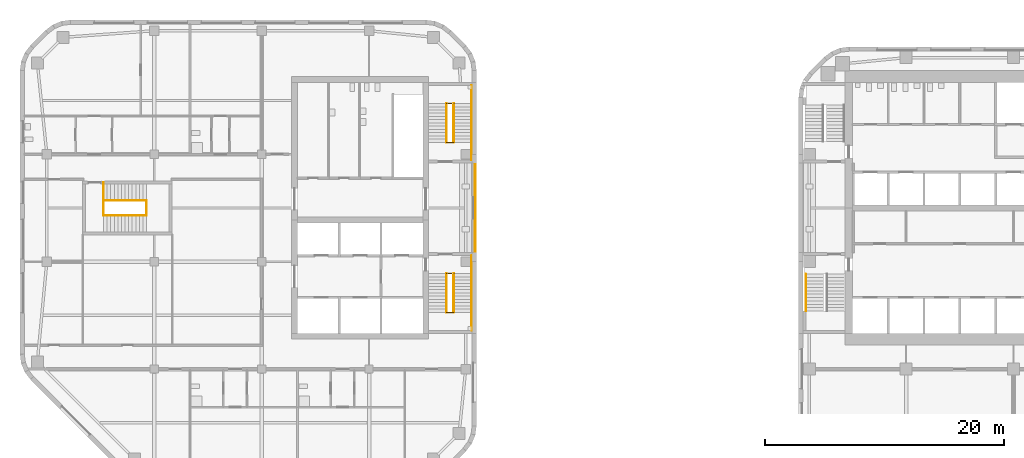
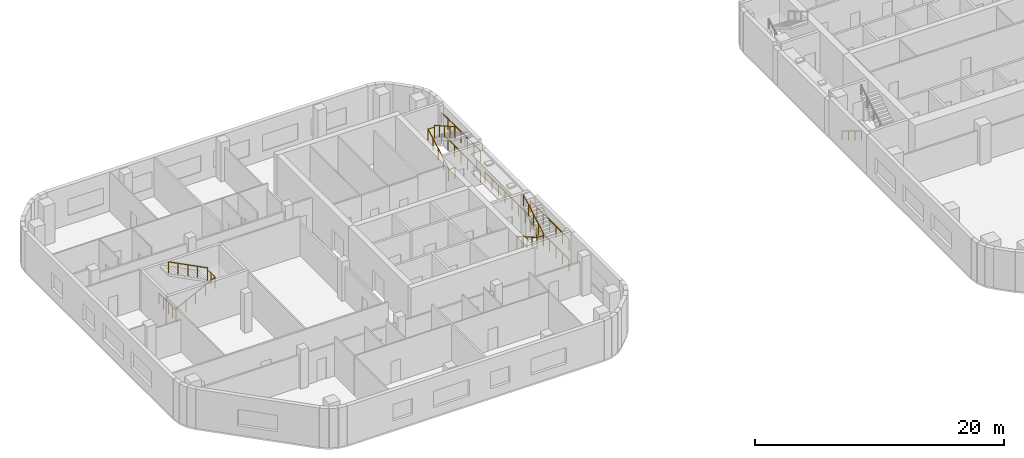
# One storey, part 13 of 15: 19 railings, 1 element without a shape of its own.
"""IFC4 building model written with IfcOpenShell, lengths in metres."""

from ifc_helpers import new_model, si_unit, direction, frame, origin, origin_2d, place, context, subcontext, project, spatial, circle, extrude, material, type_object, element, aggregate, save


model = new_model("IFC4")

# Units and contexts
model_context = context("Model", 3, precision=1e-05, world=origin(), true_north=direction((0.0, 1.0)))
body_context = subcontext(model_context, "Body", "Model", "MODEL_VIEW")
ifc_project = project(units=[si_unit("LENGTHUNIT", "METRE"), si_unit("AREAUNIT", "SQUARE_METRE"), si_unit("VOLUMEUNIT", "CUBIC_METRE"), si_unit("PLANEANGLEUNIT", "RADIAN"), si_unit("MASSUNIT", "GRAM", prefix="KILO")], contexts=[model_context])

# Site, building, storey
site_placement = place(None, origin())
site = spatial("IfcSite", under=ifc_project, at=site_placement, CompositionType="ELEMENT")
building_placement = place(site_placement, origin())
building = spatial("IfcBuilding", under=site, at=building_placement, Name="Cinnabar Reach Civic Tower", CompositionType="ELEMENT")
storey_placement = place(building_placement, frame((0.0, 0.0, 67.0)))
storey = spatial("IfcBuildingStorey", under=building, at=storey_placement, Name="L15", CompositionType="ELEMENT", Elevation=67.0)

# Stair, railing
ifc_material_1 = material(Name="Concrete C40/50", Category="concrete")
stair_type = type_object("IfcStairType", Name="T1 Exit stair, half-turn", PredefinedType="HALF_TURN_STAIR", material=ifc_material_1)
stair_placement = place(storey_placement, origin())
stair = element("IfcStair", 1, at=stair_placement, inside=storey, type_object=stair_type, Name="Stair T1-S1", PredefinedType="HALF_TURN_STAIR")
ifc_material_2 = material(Name="Stainless steel tube", Category="steel")
railing_type_1 = type_object("IfcRailingType", Name="T1 Stair handrail, stainless tube 48", PredefinedType="HANDRAIL", material=ifc_material_2)
railing_1_placement = place(storey_placement, frame((0.6, 25.95, 0.1667)))
railing_1 = element("IfcRailing", 2, at=railing_1_placement, type_object=railing_type_1, Name="T1-S1 handrail 1", PredefinedType="HANDRAIL", context=body_context, shape_type="SweptSolid", body=[
    extrude(circle(Radius=0.024, at=origin_2d()), frame((0.0, 0.0, 0.876), z_axis=(0.0, -0.859296971757, 0.511476992962), x_axis=(1.0, 0.0, 0.0)), (0.0, 0.0, 1.0), 3.5843),
    extrude(circle(Radius=0.021, at=origin_2d()), origin(), (0.0, 0.0, 1.0), 0.852),
    extrude(circle(Radius=0.021, at=origin_2d()), frame((0.0, -1.0267, 0.6111)), (0.0, 0.0, 1.0), 0.852),
    extrude(circle(Radius=0.021, at=origin_2d()), frame((0.0, -2.0533, 1.2222)), (0.0, 0.0, 1.0), 0.852),
    extrude(circle(Radius=0.021, at=origin_2d()), frame((0.0, -3.08, 1.8333)), (0.0, 0.0, 1.0), 0.852),
])
aggregate(stair, [railing_1])

# Railings
ifc_material_3 = material(Name="Stainless steel", Category="steel")
railing_type_2 = type_object("IfcRailingType", Name="T2 Stair guard 1100", PredefinedType="GUARDRAIL", material=ifc_material_3)
railing_2_placement = place(storey_placement, frame((-27.1, 27.75, 0.0)))
element("IfcRailing", 3, at=railing_2_placement, inside=storey, type_object=railing_type_2, Name="Corridor end guard", PredefinedType="GUARDRAIL", context=body_context, shape_type="SweptSolid", body=[
    extrude(circle(Radius=0.024, at=origin_2d()), frame((0.0, 0.0, 1.076), z_axis=(0.0, 1.0, 0.0), x_axis=(-1.0, 0.0, 0.0)), (0.0, 0.0, 1.0), 7.5),
    extrude(circle(Radius=0.021, at=origin_2d()), origin(), (0.0, 0.0, 1.0), 1.052),
    extrude(circle(Radius=0.021, at=origin_2d()), frame((0.0, 1.0714, 0.0)), (0.0, 0.0, 1.0), 1.052),
    extrude(circle(Radius=0.021, at=origin_2d()), frame((0.0, 2.1429, 0.0)), (0.0, 0.0, 1.0), 1.052),
    extrude(circle(Radius=0.021, at=origin_2d()), frame((0.0, 3.2143, 0.0)), (0.0, 0.0, 1.0), 1.052),
    extrude(circle(Radius=0.021, at=origin_2d()), frame((0.0, 4.2857, 0.0)), (0.0, 0.0, 1.0), 1.052),
    extrude(circle(Radius=0.021, at=origin_2d()), frame((0.0, 5.3571, 0.0)), (0.0, 0.0, 1.0), 1.052),
    extrude(circle(Radius=0.021, at=origin_2d()), frame((0.0, 6.4286, 0.0)), (0.0, 0.0, 1.0), 1.052),
    extrude(circle(Radius=0.021, at=origin_2d()), frame((0.0, 7.5, 0.0)), (0.0, 0.0, 1.0), 1.052),
])
for number, where, name in (
    (4, (-27.4, 21.25, 0.0), "Stair guard 1"),
    (5, (-27.4, 21.25, 2.0), "Stair guard 1"),
):
    element("IfcRailing", number, at=place(storey_placement, frame(where)), inside=storey, type_object=railing_type_2, Name=name, PredefinedType="GUARDRAIL", context=body_context, shape_type="SweptSolid", body=[
        extrude(circle(Radius=0.024, at=origin_2d()), frame((0.0, 0.0, 1.076), z_axis=(0.0, 1.0, 0.0), x_axis=(-1.0, 0.0, 0.0)), (0.0, 0.0, 1.0), 6.25),
        extrude(circle(Radius=0.021, at=origin_2d()), origin(), (0.0, 0.0, 1.0), 1.052),
        extrude(circle(Radius=0.021, at=origin_2d()), frame((0.0, 1.0417, 0.0)), (0.0, 0.0, 1.0), 1.052),
        extrude(circle(Radius=0.021, at=origin_2d()), frame((0.0, 2.0833, 0.0)), (0.0, 0.0, 1.0), 1.052),
        extrude(circle(Radius=0.021, at=origin_2d()), frame((0.0, 3.125, 0.0)), (0.0, 0.0, 1.0), 1.052),
        extrude(circle(Radius=0.021, at=origin_2d()), frame((0.0, 4.1667, 0.0)), (0.0, 0.0, 1.0), 1.052),
        extrude(circle(Radius=0.021, at=origin_2d()), frame((0.0, 5.2083, 0.0)), (0.0, 0.0, 1.0), 1.052),
        extrude(circle(Radius=0.021, at=origin_2d()), frame((0.0, 6.25, 0.0)), (0.0, 0.0, 1.0), 1.052),
    ])
for number, where, name in (
    (6, (-29.5, 26.0, 0.0), "Stair guard 1"),
    (7, (-29.5, 22.75, 2.0), "Stair guard 1"),
):
    element("IfcRailing", number, at=place(storey_placement, frame(where)), inside=storey, type_object=railing_type_2, Name=name, PredefinedType="GUARDRAIL", context=body_context, shape_type="SweptSolid", body=[
        extrude(circle(Radius=0.024, at=origin_2d()), frame((0.0, 0.0, 1.076), z_axis=(1.0, 0.0, 0.0), x_axis=(0.0, 1.0, 0.0)), (0.0, 0.0, 1.0), 0.6),
        extrude(circle(Radius=0.021, at=origin_2d()), origin(), (0.0, 0.0, 1.0), 1.052),
        extrude(circle(Radius=0.021, at=origin_2d()), frame((0.6, 0.0, 0.0)), (0.0, 0.0, 1.0), 1.052),
    ])
railing_3_placement = place(storey_placement, frame((-29.5, 26.0, 0.1538)))
element("IfcRailing", 8, at=railing_3_placement, inside=storey, type_object=railing_type_2, Name="Stair guard 1", PredefinedType="GUARDRAIL", context=body_context, shape_type="SweptSolid", body=[
    extrude(circle(Radius=0.024, at=origin_2d()), frame((0.0, 0.0, 1.076), z_axis=(0.0, -0.869501474428, 0.493930345258), x_axis=(1.0, 0.0, 0.0)), (0.0, 0.0, 1.0), 3.7378),
    extrude(circle(Radius=0.021, at=origin_2d()), origin(), (0.0, 0.0, 1.0), 1.052),
    extrude(circle(Radius=0.021, at=origin_2d()), frame((0.0, -0.8125, 0.4615)), (0.0, 0.0, 1.0), 1.052),
    extrude(circle(Radius=0.021, at=origin_2d()), frame((0.0, -1.625, 0.9231)), (0.0, 0.0, 1.0), 1.052),
    extrude(circle(Radius=0.021, at=origin_2d()), frame((0.0, -2.4375, 1.3846)), (0.0, 0.0, 1.0), 1.052),
    extrude(circle(Radius=0.021, at=origin_2d()), frame((0.0, -3.25, 1.8462)), (0.0, 0.0, 1.0), 1.052),
])
railing_4_placement = place(storey_placement, frame((-28.9, 22.75, 2.1538)))
element("IfcRailing", 9, at=railing_4_placement, inside=storey, type_object=railing_type_2, Name="Stair guard 1", PredefinedType="GUARDRAIL", context=body_context, shape_type="SweptSolid", body=[
    extrude(circle(Radius=0.024, at=origin_2d()), frame((0.0, 0.0, 1.076), z_axis=(0.0, 0.869501474428, 0.493930345258), x_axis=(-1.0, 0.0, 0.0)), (0.0, 0.0, 1.0), 3.7378),
    extrude(circle(Radius=0.021, at=origin_2d()), origin(), (0.0, 0.0, 1.0), 1.052),
    extrude(circle(Radius=0.021, at=origin_2d()), frame((0.0, 0.8125, 0.4615)), (0.0, 0.0, 1.0), 1.052),
    extrude(circle(Radius=0.021, at=origin_2d()), frame((0.0, 1.625, 0.9231)), (0.0, 0.0, 1.0), 1.052),
    extrude(circle(Radius=0.021, at=origin_2d()), frame((0.0, 2.4375, 1.3846)), (0.0, 0.0, 1.0), 1.052),
    extrude(circle(Radius=0.021, at=origin_2d()), frame((0.0, 3.25, 1.8462)), (0.0, 0.0, 1.0), 1.052),
])
for number, where, name in (
    (10, (-27.4, 35.5, 0.0), "Stair guard 2"),
    (11, (-27.4, 35.5, 2.0), "Stair guard 2"),
):
    element("IfcRailing", number, at=place(storey_placement, frame(where)), inside=storey, type_object=railing_type_2, Name=name, PredefinedType="GUARDRAIL", context=body_context, shape_type="SweptSolid", body=[
        extrude(circle(Radius=0.024, at=origin_2d()), frame((0.0, 0.0, 1.076), z_axis=(0.0, 1.0, 0.0), x_axis=(-1.0, 0.0, 0.0)), (0.0, 0.0, 1.0), 6.25),
        extrude(circle(Radius=0.021, at=origin_2d()), origin(), (0.0, 0.0, 1.0), 1.052),
        extrude(circle(Radius=0.021, at=origin_2d()), frame((0.0, 1.0417, 0.0)), (0.0, 0.0, 1.0), 1.052),
        extrude(circle(Radius=0.021, at=origin_2d()), frame((0.0, 2.0833, 0.0)), (0.0, 0.0, 1.0), 1.052),
        extrude(circle(Radius=0.021, at=origin_2d()), frame((0.0, 3.125, 0.0)), (0.0, 0.0, 1.0), 1.052),
        extrude(circle(Radius=0.021, at=origin_2d()), frame((0.0, 4.1667, 0.0)), (0.0, 0.0, 1.0), 1.052),
        extrude(circle(Radius=0.021, at=origin_2d()), frame((0.0, 5.2083, 0.0)), (0.0, 0.0, 1.0), 1.052),
        extrude(circle(Radius=0.021, at=origin_2d()), frame((0.0, 6.25, 0.0)), (0.0, 0.0, 1.0), 1.052),
    ])
for number, where, name in (
    (12, (-29.5, 37.0, 0.0), "Stair guard 2"),
    (13, (-29.5, 40.25, 2.0), "Stair guard 2"),
):
    element("IfcRailing", number, at=place(storey_placement, frame(where)), inside=storey, type_object=railing_type_2, Name=name, PredefinedType="GUARDRAIL", context=body_context, shape_type="SweptSolid", body=[
        extrude(circle(Radius=0.024, at=origin_2d()), frame((0.0, 0.0, 1.076), z_axis=(1.0, 0.0, 0.0), x_axis=(0.0, 1.0, 0.0)), (0.0, 0.0, 1.0), 0.6),
        extrude(circle(Radius=0.021, at=origin_2d()), origin(), (0.0, 0.0, 1.0), 1.052),
        extrude(circle(Radius=0.021, at=origin_2d()), frame((0.6, 0.0, 0.0)), (0.0, 0.0, 1.0), 1.052),
    ])
railing_5_placement = place(storey_placement, frame((-29.5, 37.0, 0.1538)))
element("IfcRailing", 14, at=railing_5_placement, inside=storey, type_object=railing_type_2, Name="Stair guard 2", PredefinedType="GUARDRAIL", context=body_context, shape_type="SweptSolid", body=[
    extrude(circle(Radius=0.024, at=origin_2d()), frame((0.0, 0.0, 1.076), z_axis=(0.0, 0.869501474428, 0.493930345258), x_axis=(-1.0, 0.0, 0.0)), (0.0, 0.0, 1.0), 3.7378),
    extrude(circle(Radius=0.021, at=origin_2d()), origin(), (0.0, 0.0, 1.0), 1.052),
    extrude(circle(Radius=0.021, at=origin_2d()), frame((0.0, 0.8125, 0.4615)), (0.0, 0.0, 1.0), 1.052),
    extrude(circle(Radius=0.021, at=origin_2d()), frame((0.0, 1.625, 0.9231)), (0.0, 0.0, 1.0), 1.052),
    extrude(circle(Radius=0.021, at=origin_2d()), frame((0.0, 2.4375, 1.3846)), (0.0, 0.0, 1.0), 1.052),
    extrude(circle(Radius=0.021, at=origin_2d()), frame((0.0, 3.25, 1.8462)), (0.0, 0.0, 1.0), 1.052),
])
railing_6_placement = place(storey_placement, frame((-28.9, 40.25, 2.1538)))
element("IfcRailing", 15, at=railing_6_placement, inside=storey, type_object=railing_type_2, Name="Stair guard 2", PredefinedType="GUARDRAIL", context=body_context, shape_type="SweptSolid", body=[
    extrude(circle(Radius=0.024, at=origin_2d()), frame((0.0, 0.0, 1.076), z_axis=(0.0, -0.869501474428, 0.493930345258), x_axis=(1.0, 0.0, 0.0)), (0.0, 0.0, 1.0), 3.7378),
    extrude(circle(Radius=0.021, at=origin_2d()), origin(), (0.0, 0.0, 1.0), 1.052),
    extrude(circle(Radius=0.021, at=origin_2d()), frame((0.0, -0.8125, 0.4615)), (0.0, 0.0, 1.0), 1.052),
    extrude(circle(Radius=0.021, at=origin_2d()), frame((0.0, -1.625, 0.9231)), (0.0, 0.0, 1.0), 1.052),
    extrude(circle(Radius=0.021, at=origin_2d()), frame((0.0, -2.4375, 1.3846)), (0.0, 0.0, 1.0), 1.052),
    extrude(circle(Radius=0.021, at=origin_2d()), frame((0.0, -3.25, 1.8462)), (0.0, 0.0, 1.0), 1.052),
])
railing_7_placement = place(storey_placement, frame((-58.25, 30.875, 0.0)))
element("IfcRailing", 16, at=railing_7_placement, inside=storey, type_object=railing_type_2, Name="Stair guard 3", PredefinedType="GUARDRAIL", context=body_context, shape_type="SweptSolid", body=[
    extrude(circle(Radius=0.024, at=origin_2d()), frame((0.0, 0.0, 1.076), z_axis=(0.0, 1.0, 0.0), x_axis=(-1.0, 0.0, 0.0)), (0.0, 0.0, 1.0), 1.25),
    extrude(circle(Radius=0.021, at=origin_2d()), origin(), (0.0, 0.0, 1.0), 1.052),
    extrude(circle(Radius=0.021, at=origin_2d()), frame((0.0, 0.625, 0.0)), (0.0, 0.0, 1.0), 1.052),
    extrude(circle(Radius=0.021, at=origin_2d()), frame((0.0, 1.25, 0.0)), (0.0, 0.0, 1.0), 1.052),
])
railing_8_placement = place(storey_placement, frame((-58.25, 32.125, 0.0)))
element("IfcRailing", 17, at=railing_8_placement, inside=storey, type_object=railing_type_2, Name="Stair guard 3", PredefinedType="GUARDRAIL", context=body_context, shape_type="SweptSolid", body=[
    extrude(circle(Radius=0.024, at=origin_2d()), frame((0.0, 0.0, 1.076), z_axis=(0.0, 1.0, 0.0), x_axis=(-1.0, 0.0, 0.0)), (0.0, 0.0, 1.0), 1.5),
    extrude(circle(Radius=0.021, at=origin_2d()), origin(), (0.0, 0.0, 1.0), 1.052),
    extrude(circle(Radius=0.021, at=origin_2d()), frame((0.0, 0.75, 0.0)), (0.0, 0.0, 1.0), 1.052),
    extrude(circle(Radius=0.021, at=origin_2d()), frame((0.0, 1.5, 0.0)), (0.0, 0.0, 1.0), 1.052),
])
railing_9_placement = place(storey_placement, frame((-54.65, 30.875, 2.0)))
element("IfcRailing", 18, at=railing_9_placement, inside=storey, type_object=railing_type_2, Name="Stair guard 3", PredefinedType="GUARDRAIL", context=body_context, shape_type="SweptSolid", body=[
    extrude(circle(Radius=0.024, at=origin_2d()), frame((0.0, 0.0, 1.076), z_axis=(0.0, 1.0, 0.0), x_axis=(-1.0, 0.0, 0.0)), (0.0, 0.0, 1.0), 1.25),
    extrude(circle(Radius=0.021, at=origin_2d()), origin(), (0.0, 0.0, 1.0), 1.052),
    extrude(circle(Radius=0.021, at=origin_2d()), frame((0.0, 0.625, 0.0)), (0.0, 0.0, 1.0), 1.052),
    extrude(circle(Radius=0.021, at=origin_2d()), frame((0.0, 1.25, 0.0)), (0.0, 0.0, 1.0), 1.052),
])
railing_10_placement = place(storey_placement, frame((-58.25, 30.875, 0.1538)))
element("IfcRailing", 19, at=railing_10_placement, inside=storey, type_object=railing_type_2, Name="Stair guard 3", PredefinedType="GUARDRAIL", context=body_context, shape_type="SweptSolid", body=[
    extrude(circle(Radius=0.024, at=origin_2d()), frame((0.0, 0.0, 1.076), z_axis=(0.889812830738, 0.0, 0.45632568003), x_axis=(0.0, 1.0, 0.0)), (0.0, 0.0, 1.0), 4.0458),
    extrude(circle(Radius=0.021, at=origin_2d()), origin(), (0.0, 0.0, 1.0), 1.052),
    extrude(circle(Radius=0.021, at=origin_2d()), frame((0.9, 0.0, 0.4615)), (0.0, 0.0, 1.0), 1.052),
    extrude(circle(Radius=0.021, at=origin_2d()), frame((1.8, 0.0, 0.9231)), (0.0, 0.0, 1.0), 1.052),
    extrude(circle(Radius=0.021, at=origin_2d()), frame((2.7, 0.0, 1.3846)), (0.0, 0.0, 1.0), 1.052),
    extrude(circle(Radius=0.021, at=origin_2d()), frame((3.6, 0.0, 1.8462)), (0.0, 0.0, 1.0), 1.052),
])
railing_11_placement = place(storey_placement, frame((-54.65, 32.125, 2.1538)))
element("IfcRailing", 20, at=railing_11_placement, inside=storey, type_object=railing_type_2, Name="Stair guard 3", PredefinedType="GUARDRAIL", context=body_context, shape_type="SweptSolid", body=[
    extrude(circle(Radius=0.024, at=origin_2d()), frame((0.0, 0.0, 1.076), z_axis=(-0.889812830738, 0.0, 0.45632568003), x_axis=(0.0, -1.0, 0.0)), (0.0, 0.0, 1.0), 4.0458),
    extrude(circle(Radius=0.021, at=origin_2d()), origin(), (0.0, 0.0, 1.0), 1.052),
    extrude(circle(Radius=0.021, at=origin_2d()), frame((-0.9, 0.0, 0.4615)), (0.0, 0.0, 1.0), 1.052),
    extrude(circle(Radius=0.021, at=origin_2d()), frame((-1.8, 0.0, 0.9231)), (0.0, 0.0, 1.0), 1.052),
    extrude(circle(Radius=0.021, at=origin_2d()), frame((-2.7, 0.0, 1.3846)), (0.0, 0.0, 1.0), 1.052),
    extrude(circle(Radius=0.021, at=origin_2d()), frame((-3.6, 0.0, 1.8462)), (0.0, 0.0, 1.0), 1.052),
])

save(model, "model.ifc")
